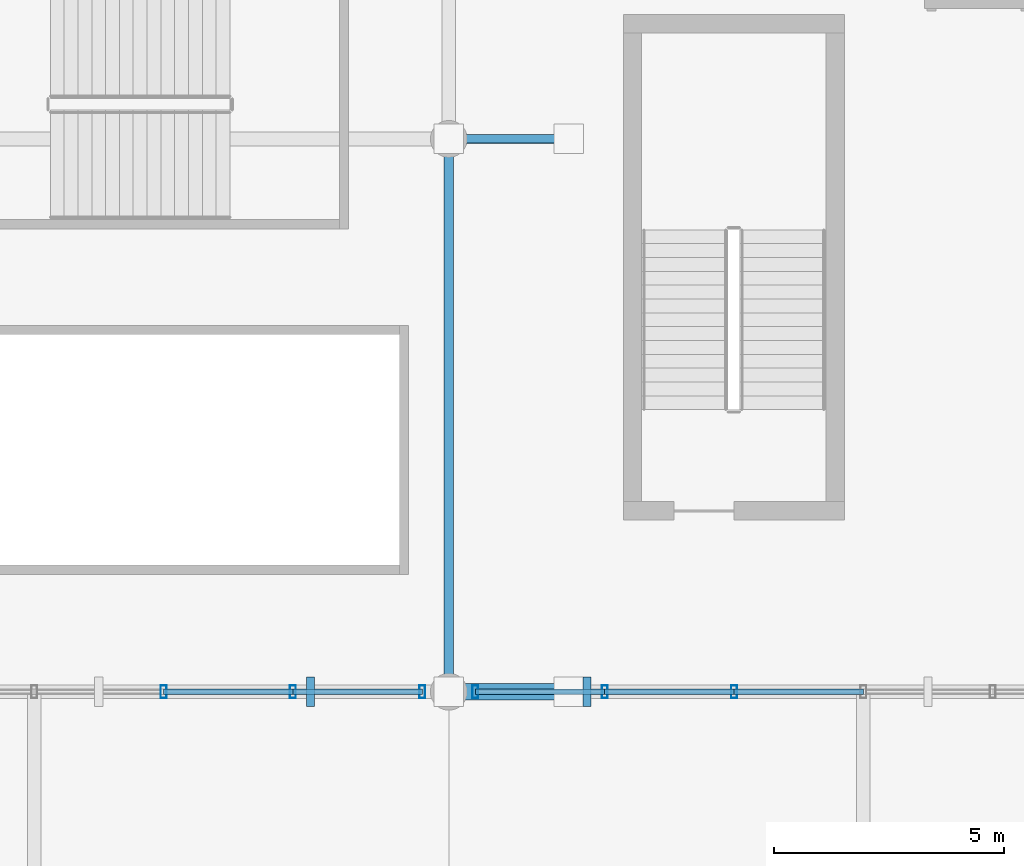
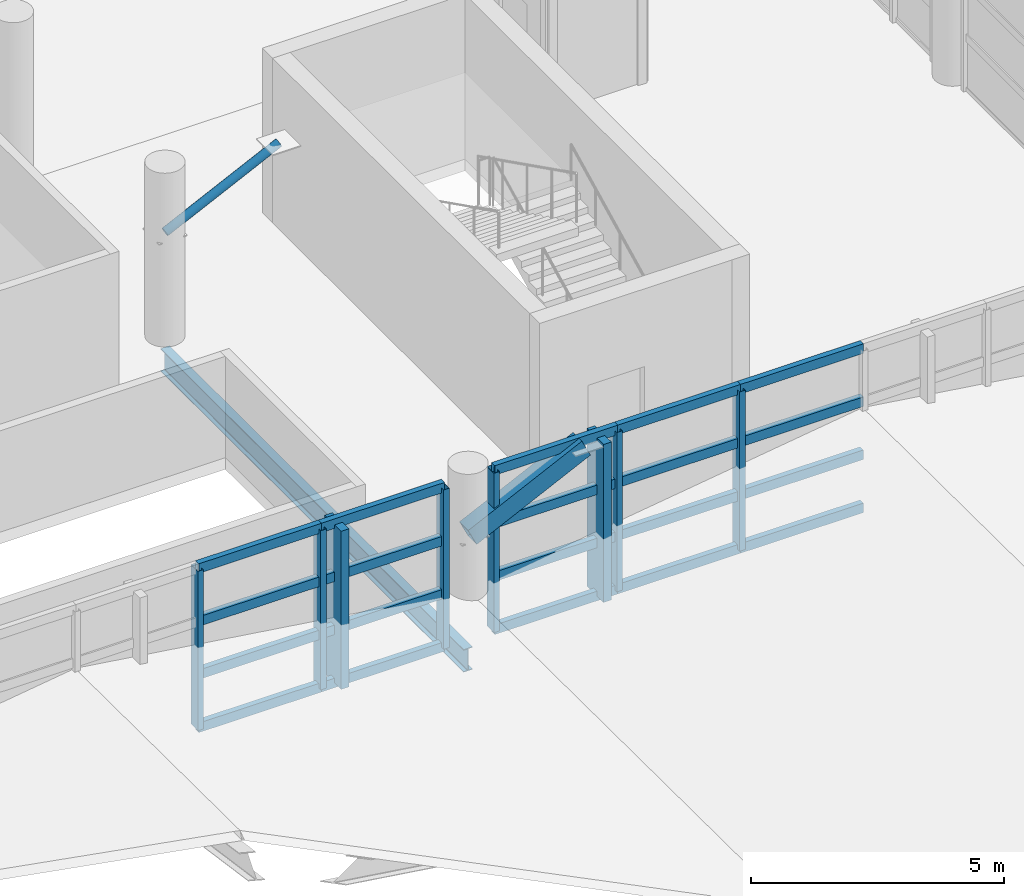
# One storey, part 16 of 136: 30 members, 1 beam, 2 elements without a shape of their own.
"""IFC4 building model written with IfcOpenShell, lengths in metres."""

from ifc_helpers import new_model, si_unit, direction, frame, origin, origin_2d, place, context, subcontext, project, spatial, rectangle, hollow_rectangle, hollow_circle, i_section, extrude, material, material_profile, profile_set, type_object, element, aggregate, save


model = new_model("IFC4")

# Units and contexts
model_context = context("Model", 3, precision=1e-05, world=origin(), true_north=direction((0.0, 1.0)))
body_context = subcontext(model_context, "Body", "Model", "MODEL_VIEW")
ifc_project = project(units=[si_unit("LENGTHUNIT", "METRE"), si_unit("AREAUNIT", "SQUARE_METRE"), si_unit("VOLUMEUNIT", "CUBIC_METRE"), si_unit("PLANEANGLEUNIT", "RADIAN"), si_unit("MASSUNIT", "GRAM", prefix="KILO")], contexts=[model_context])

# Site, building, storey
site_placement = place(None, origin())
site = spatial("IfcSite", under=ifc_project, at=site_placement, CompositionType="ELEMENT")
building_placement = place(site_placement, origin())
building = spatial("IfcBuilding", under=site, at=building_placement, Name="Chuanluo Vaults Station", CompositionType="ELEMENT")
storey_placement = place(building_placement, frame((0.0, 0.0, 6.60009765625)))
storey = spatial("IfcBuildingStorey", under=building, at=storey_placement, Name="L01", CompositionType="ELEMENT", Elevation=6.60009765625)

# Beam
ifc_material_1 = material(Name="Steel Q355C", Category="steel")
ifc_material_profile_1 = material_profile(ifc_material_1, i_section(OverallWidth=0.199951171875, OverallDepth=0.550048828125, WebThickness=0.010009765625, FlangeThickness=0.01611328125, FilletRadius=0.01806640625, at=origin_2d()))
ifc_profile_set_1 = profile_set([ifc_material_profile_1], Name="Steel Q355C")
beam_type = type_object("IfcBeamType", Name="BM-GRD-550", PredefinedType="USERDEFINED", material=ifc_profile_set_1)
beam_placement = place(storey_placement, frame((72.0, 18.0, -0.55517578125), z_axis=(0.0, 1.0, 0.0), x_axis=(-1.0, 0.0, 0.0)))
element("IfcBeam", 1, at=beam_placement, inside=storey, type_object=beam_type, Name="Floor girder BM:GY:L01:0433", ObjectType="GIRDER", PredefinedType="USERDEFINED", context=body_context, shape_type="SweptSolid", body=[
    extrude(i_section(OverallWidth=0.199951171875, OverallDepth=0.550048828125, WebThickness=0.010009765625, FlangeThickness=0.01611328125, FilletRadius=0.01806640625, at=origin_2d()), origin(), (0.0, 0.0, 1.0), 12.0),
])

# Curtain wall, members
ifc_material_2 = material(Name="Anodised aluminium 6063-T6", Category="aluminium")
curtain_wall_type_1 = type_object("IfcCurtainWallType", Name="CW-SYS-14", PredefinedType="NOTDEFINED", material=ifc_material_2)
curtain_wall_1_placement = place(storey_placement, origin())
curtain_wall_1 = element("IfcCurtainWall", 2, at=curtain_wall_1_placement, inside=storey, type_object=curtain_wall_type_1, Name="Concourse V4 south facade CW", PredefinedType="NOTDEFINED")
ifc_material_3 = material(Name="Anodised aluminium 6063-T6", Category="aluminium")
ifc_material_profile_2 = material_profile(ifc_material_3, hollow_rectangle(XDim=0.1298828125, YDim=0.280029296875, WallThickness=0.007080078125, at=origin_2d()))
ifc_profile_set_2 = profile_set([ifc_material_profile_2], Name="Anodised aluminium 6063-T6")
member_type_1 = type_object("IfcMemberType", Name="CWM-180", PredefinedType="MULLION", material=ifc_profile_set_2)
member_1_placement = place(storey_placement, frame((71.425048828125, 18.0, 0.0), z_axis=(0.0, 0.0, 1.0), x_axis=(-1.0, 0.0, 0.0)))
member_1 = element("IfcMember", 3, at=member_1_placement, type_object=member_type_1, Name="Concourse V4 south facade CW mullion 1", PredefinedType="MULLION", context=body_context, shape_type="SweptSolid", body=[
    extrude(hollow_rectangle(XDim=0.1298828125, YDim=0.280029296875, WallThickness=0.007080078125, at=origin_2d()), origin(), (0.0, 0.0, 1.0), 3.849853515625),
])
member_2_placement = place(storey_placement, frame((68.61669921875, 18.0, 0.0), z_axis=(0.0, 0.0, 1.0), x_axis=(-1.0, 0.0, 0.0)))
member_2 = element("IfcMember", 4, at=member_2_placement, type_object=member_type_1, Name="Concourse V4 south facade CW mullion 2", PredefinedType="MULLION", context=body_context, shape_type="SweptSolid", body=[
    extrude(hollow_rectangle(XDim=0.1298828125, YDim=0.280029296875, WallThickness=0.007080078125, at=origin_2d()), origin(), (0.0, 0.0, 1.0), 3.849853515625),
])
member_3_placement = place(storey_placement, frame((65.808349609375, 18.0, 0.0), z_axis=(0.0, 0.0, 1.0), x_axis=(-1.0, 0.0, 0.0)))
member_3 = element("IfcMember", 5, at=member_3_placement, type_object=member_type_1, Name="Concourse V4 south facade CW mullion 3", PredefinedType="MULLION", context=body_context, shape_type="SweptSolid", body=[
    extrude(hollow_rectangle(XDim=0.1298828125, YDim=0.280029296875, WallThickness=0.007080078125, at=origin_2d()), origin(), (0.0, 0.0, 1.0), 3.849853515625),
])

ifc_material_4 = material(Name="Anodised aluminium 6063-T6", Category="aluminium")
curtain_wall_type_2 = type_object("IfcCurtainWallType", Name="CW-SYS-18", PredefinedType="NOTDEFINED", material=ifc_material_4)
curtain_wall_2_placement = place(storey_placement, origin())
curtain_wall_2 = element("IfcCurtainWall", 6, at=curtain_wall_2_placement, inside=storey, type_object=curtain_wall_type_2, Name="Concourse V5 south facade CW", PredefinedType="NOTDEFINED")
member_4_placement = place(storey_placement, frame((78.191650390625, 18.0, 0.0), z_axis=(0.0, 0.0, 1.0), x_axis=(-1.0, 0.0, 0.0)))
member_4 = element("IfcMember", 7, at=member_4_placement, type_object=member_type_1, Name="Concourse V5 south facade CW mullion 5", PredefinedType="MULLION", context=body_context, shape_type="SweptSolid", body=[
    extrude(hollow_rectangle(XDim=0.1298828125, YDim=0.280029296875, WallThickness=0.007080078125, at=origin_2d()), origin(), (0.0, 0.0, 1.0), 3.849853515625),
])
member_5_placement = place(storey_placement, frame((75.38330078125, 18.0, 0.0), z_axis=(0.0, 0.0, 1.0), x_axis=(-1.0, 0.0, 0.0)))
member_5 = element("IfcMember", 8, at=member_5_placement, type_object=member_type_1, Name="Concourse V5 south facade CW mullion 6", PredefinedType="MULLION", context=body_context, shape_type="SweptSolid", body=[
    extrude(hollow_rectangle(XDim=0.1298828125, YDim=0.280029296875, WallThickness=0.007080078125, at=origin_2d()), origin(), (0.0, 0.0, 1.0), 3.849853515625),
])
member_6_placement = place(storey_placement, frame((72.574951171875, 18.0, 0.0), z_axis=(0.0, 0.0, 1.0), x_axis=(-1.0, 0.0, 0.0)))
member_6 = element("IfcMember", 9, at=member_6_placement, type_object=member_type_1, Name="Concourse V5 south facade CW mullion 7", PredefinedType="MULLION", context=body_context, shape_type="SweptSolid", body=[
    extrude(hollow_rectangle(XDim=0.1298828125, YDim=0.280029296875, WallThickness=0.007080078125, at=origin_2d()), origin(), (0.0, 0.0, 1.0), 3.849853515625),
])

# Member
ifc_material_5 = material(Name="Anodised aluminium 6063-T6", Category="aluminium")
ifc_material_profile_3 = material_profile(ifc_material_5, hollow_rectangle(XDim=0.1298828125, YDim=0.22998046875, WallThickness=0.006103515625, at=origin_2d()))
ifc_profile_set_3 = profile_set([ifc_material_profile_3], Name="Anodised aluminium 6063-T6")
member_type_2 = type_object("IfcMemberType", Name="CWT-150", PredefinedType="USERDEFINED", material=ifc_profile_set_3)
member_7_placement = place(storey_placement, frame((71.425048828125, 18.0, 0.0), z_axis=(-1.0, 0.0, 0.0), x_axis=(0.0, -1.0, 0.0)))
member_7 = element("IfcMember", 10, at=member_7_placement, type_object=member_type_2, Name="Concourse V4 south facade CW transom 1.1", ObjectType="TRANSOM", PredefinedType="USERDEFINED", context=body_context, shape_type="SweptSolid", body=[
    extrude(hollow_rectangle(XDim=0.1298828125, YDim=0.22998046875, WallThickness=0.006103515625, at=origin_2d()), origin(), (0.0, 0.0, 1.0), 2.808349609375),
])

member_8_placement = place(storey_placement, frame((71.425048828125, 18.0, 1.283203125), z_axis=(-1.0, 0.0, 0.0), x_axis=(0.0, -1.0, 0.0)))
member_8 = element("IfcMember", 11, at=member_8_placement, type_object=member_type_2, Name="Concourse V4 south facade CW transom 1.2", ObjectType="TRANSOM", PredefinedType="USERDEFINED", context=body_context, shape_type="SweptSolid", body=[
    extrude(hollow_rectangle(XDim=0.1298828125, YDim=0.22998046875, WallThickness=0.006103515625, at=origin_2d()), origin(), (0.0, 0.0, 1.0), 2.808349609375),
])

member_9_placement = place(storey_placement, frame((71.425048828125, 18.0, 2.566650390625), z_axis=(-1.0, 0.0, 0.0), x_axis=(0.0, -1.0, 0.0)))
member_9 = element("IfcMember", 12, at=member_9_placement, type_object=member_type_2, Name="Concourse V4 south facade CW transom 1.3", ObjectType="TRANSOM", PredefinedType="USERDEFINED", context=body_context, shape_type="SweptSolid", body=[
    extrude(hollow_rectangle(XDim=0.1298828125, YDim=0.22998046875, WallThickness=0.006103515625, at=origin_2d()), origin(), (0.0, 0.0, 1.0), 2.808349609375),
])

member_10_placement = place(storey_placement, frame((71.425048828125, 18.0, 3.849853515625), z_axis=(-1.0, 0.0, 0.0), x_axis=(0.0, -1.0, 0.0)))
member_10 = element("IfcMember", 13, at=member_10_placement, type_object=member_type_2, Name="Concourse V4 south facade CW transom 1.4", ObjectType="TRANSOM", PredefinedType="USERDEFINED", context=body_context, shape_type="SweptSolid", body=[
    extrude(hollow_rectangle(XDim=0.1298828125, YDim=0.22998046875, WallThickness=0.006103515625, at=origin_2d()), origin(), (0.0, 0.0, 1.0), 2.808349609375),
])

member_11_placement = place(storey_placement, frame((68.61669921875, 18.0, 0.0), z_axis=(-1.0, 0.0, 0.0), x_axis=(0.0, -1.0, 0.0)))
member_11 = element("IfcMember", 14, at=member_11_placement, type_object=member_type_2, Name="Concourse V4 south facade CW transom 2.1", ObjectType="TRANSOM", PredefinedType="USERDEFINED", context=body_context, shape_type="SweptSolid", body=[
    extrude(hollow_rectangle(XDim=0.1298828125, YDim=0.22998046875, WallThickness=0.006103515625, at=origin_2d()), origin(), (0.0, 0.0, 1.0), 2.808349609375),
])

member_12_placement = place(storey_placement, frame((68.61669921875, 18.0, 1.283203125), z_axis=(-1.0, 0.0, 0.0), x_axis=(0.0, -1.0, 0.0)))
member_12 = element("IfcMember", 15, at=member_12_placement, type_object=member_type_2, Name="Concourse V4 south facade CW transom 2.2", ObjectType="TRANSOM", PredefinedType="USERDEFINED", context=body_context, shape_type="SweptSolid", body=[
    extrude(hollow_rectangle(XDim=0.1298828125, YDim=0.22998046875, WallThickness=0.006103515625, at=origin_2d()), origin(), (0.0, 0.0, 1.0), 2.808349609375),
])

member_13_placement = place(storey_placement, frame((68.61669921875, 18.0, 2.566650390625), z_axis=(-1.0, 0.0, 0.0), x_axis=(0.0, -1.0, 0.0)))
member_13 = element("IfcMember", 16, at=member_13_placement, type_object=member_type_2, Name="Concourse V4 south facade CW transom 2.3", ObjectType="TRANSOM", PredefinedType="USERDEFINED", context=body_context, shape_type="SweptSolid", body=[
    extrude(hollow_rectangle(XDim=0.1298828125, YDim=0.22998046875, WallThickness=0.006103515625, at=origin_2d()), origin(), (0.0, 0.0, 1.0), 2.808349609375),
])

member_14_placement = place(storey_placement, frame((68.61669921875, 18.0, 3.849853515625), z_axis=(-1.0, 0.0, 0.0), x_axis=(0.0, -1.0, 0.0)))
member_14 = element("IfcMember", 17, at=member_14_placement, type_object=member_type_2, Name="Concourse V4 south facade CW transom 2.4", ObjectType="TRANSOM", PredefinedType="USERDEFINED", context=body_context, shape_type="SweptSolid", body=[
    extrude(hollow_rectangle(XDim=0.1298828125, YDim=0.22998046875, WallThickness=0.006103515625, at=origin_2d()), origin(), (0.0, 0.0, 1.0), 2.808349609375),
])

aggregate(curtain_wall_1, [member_1, member_2, member_3, member_7, member_8, member_9, member_10, member_11, member_12, member_13, member_14])

member_15_placement = place(storey_placement, frame((81.0, 18.0, 0.0), z_axis=(-1.0, 0.0, 0.0), x_axis=(0.0, -1.0, 0.0)))
member_15 = element("IfcMember", 18, at=member_15_placement, type_object=member_type_2, Name="Concourse V5 south facade CW transom 4.1", ObjectType="TRANSOM", PredefinedType="USERDEFINED", context=body_context, shape_type="SweptSolid", body=[
    extrude(hollow_rectangle(XDim=0.1298828125, YDim=0.22998046875, WallThickness=0.006103515625, at=origin_2d()), origin(), (0.0, 0.0, 1.0), 2.808349609375),
])

member_16_placement = place(storey_placement, frame((81.0, 18.0, 1.283203125), z_axis=(-1.0, 0.0, 0.0), x_axis=(0.0, -1.0, 0.0)))
member_16 = element("IfcMember", 19, at=member_16_placement, type_object=member_type_2, Name="Concourse V5 south facade CW transom 4.2", ObjectType="TRANSOM", PredefinedType="USERDEFINED", context=body_context, shape_type="SweptSolid", body=[
    extrude(hollow_rectangle(XDim=0.1298828125, YDim=0.22998046875, WallThickness=0.006103515625, at=origin_2d()), origin(), (0.0, 0.0, 1.0), 2.808349609375),
])

member_17_placement = place(storey_placement, frame((81.0, 18.0, 2.566650390625), z_axis=(-1.0, 0.0, 0.0), x_axis=(0.0, -1.0, 0.0)))
member_17 = element("IfcMember", 20, at=member_17_placement, type_object=member_type_2, Name="Concourse V5 south facade CW transom 4.3", ObjectType="TRANSOM", PredefinedType="USERDEFINED", context=body_context, shape_type="SweptSolid", body=[
    extrude(hollow_rectangle(XDim=0.1298828125, YDim=0.22998046875, WallThickness=0.006103515625, at=origin_2d()), origin(), (0.0, 0.0, 1.0), 2.808349609375),
])

member_18_placement = place(storey_placement, frame((81.0, 18.0, 3.849853515625), z_axis=(-1.0, 0.0, 0.0), x_axis=(0.0, -1.0, 0.0)))
member_18 = element("IfcMember", 21, at=member_18_placement, type_object=member_type_2, Name="Concourse V5 south facade CW transom 4.4", ObjectType="TRANSOM", PredefinedType="USERDEFINED", context=body_context, shape_type="SweptSolid", body=[
    extrude(hollow_rectangle(XDim=0.1298828125, YDim=0.22998046875, WallThickness=0.006103515625, at=origin_2d()), origin(), (0.0, 0.0, 1.0), 2.808349609375),
])

member_19_placement = place(storey_placement, frame((78.191650390625, 18.0, 0.0), z_axis=(-1.0, 0.0, 0.0), x_axis=(0.0, -1.0, 0.0)))
member_19 = element("IfcMember", 22, at=member_19_placement, type_object=member_type_2, Name="Concourse V5 south facade CW transom 5.1", ObjectType="TRANSOM", PredefinedType="USERDEFINED", context=body_context, shape_type="SweptSolid", body=[
    extrude(hollow_rectangle(XDim=0.1298828125, YDim=0.22998046875, WallThickness=0.006103515625, at=origin_2d()), origin(), (0.0, 0.0, 1.0), 2.808349609375),
])

member_20_placement = place(storey_placement, frame((78.191650390625, 18.0, 1.283203125), z_axis=(-1.0, 0.0, 0.0), x_axis=(0.0, -1.0, 0.0)))
member_20 = element("IfcMember", 23, at=member_20_placement, type_object=member_type_2, Name="Concourse V5 south facade CW transom 5.2", ObjectType="TRANSOM", PredefinedType="USERDEFINED", context=body_context, shape_type="SweptSolid", body=[
    extrude(hollow_rectangle(XDim=0.1298828125, YDim=0.22998046875, WallThickness=0.006103515625, at=origin_2d()), origin(), (0.0, 0.0, 1.0), 2.808349609375),
])

member_21_placement = place(storey_placement, frame((78.191650390625, 18.0, 2.566650390625), z_axis=(-1.0, 0.0, 0.0), x_axis=(0.0, -1.0, 0.0)))
member_21 = element("IfcMember", 24, at=member_21_placement, type_object=member_type_2, Name="Concourse V5 south facade CW transom 5.3", ObjectType="TRANSOM", PredefinedType="USERDEFINED", context=body_context, shape_type="SweptSolid", body=[
    extrude(hollow_rectangle(XDim=0.1298828125, YDim=0.22998046875, WallThickness=0.006103515625, at=origin_2d()), origin(), (0.0, 0.0, 1.0), 2.808349609375),
])

member_22_placement = place(storey_placement, frame((78.191650390625, 18.0, 3.849853515625), z_axis=(-1.0, 0.0, 0.0), x_axis=(0.0, -1.0, 0.0)))
member_22 = element("IfcMember", 25, at=member_22_placement, type_object=member_type_2, Name="Concourse V5 south facade CW transom 5.4", ObjectType="TRANSOM", PredefinedType="USERDEFINED", context=body_context, shape_type="SweptSolid", body=[
    extrude(hollow_rectangle(XDim=0.1298828125, YDim=0.22998046875, WallThickness=0.006103515625, at=origin_2d()), origin(), (0.0, 0.0, 1.0), 2.808349609375),
])

member_23_placement = place(storey_placement, frame((75.38330078125, 18.0, 0.0), z_axis=(-1.0, 0.0, 0.0), x_axis=(0.0, -1.0, 0.0)))
member_23 = element("IfcMember", 26, at=member_23_placement, type_object=member_type_2, Name="Concourse V5 south facade CW transom 6.1", ObjectType="TRANSOM", PredefinedType="USERDEFINED", context=body_context, shape_type="SweptSolid", body=[
    extrude(hollow_rectangle(XDim=0.1298828125, YDim=0.22998046875, WallThickness=0.006103515625, at=origin_2d()), origin(), (0.0, 0.0, 1.0), 2.808349609375),
])

member_24_placement = place(storey_placement, frame((75.38330078125, 18.0, 1.283203125), z_axis=(-1.0, 0.0, 0.0), x_axis=(0.0, -1.0, 0.0)))
member_24 = element("IfcMember", 27, at=member_24_placement, type_object=member_type_2, Name="Concourse V5 south facade CW transom 6.2", ObjectType="TRANSOM", PredefinedType="USERDEFINED", context=body_context, shape_type="SweptSolid", body=[
    extrude(hollow_rectangle(XDim=0.1298828125, YDim=0.22998046875, WallThickness=0.006103515625, at=origin_2d()), origin(), (0.0, 0.0, 1.0), 2.808349609375),
])

member_25_placement = place(storey_placement, frame((75.38330078125, 18.0, 2.566650390625), z_axis=(-1.0, 0.0, 0.0), x_axis=(0.0, -1.0, 0.0)))
member_25 = element("IfcMember", 28, at=member_25_placement, type_object=member_type_2, Name="Concourse V5 south facade CW transom 6.3", ObjectType="TRANSOM", PredefinedType="USERDEFINED", context=body_context, shape_type="SweptSolid", body=[
    extrude(hollow_rectangle(XDim=0.1298828125, YDim=0.22998046875, WallThickness=0.006103515625, at=origin_2d()), origin(), (0.0, 0.0, 1.0), 2.808349609375),
])

member_26_placement = place(storey_placement, frame((75.38330078125, 18.0, 3.849853515625), z_axis=(-1.0, 0.0, 0.0), x_axis=(0.0, -1.0, 0.0)))
member_26 = element("IfcMember", 29, at=member_26_placement, type_object=member_type_2, Name="Concourse V5 south facade CW transom 6.4", ObjectType="TRANSOM", PredefinedType="USERDEFINED", context=body_context, shape_type="SweptSolid", body=[
    extrude(hollow_rectangle(XDim=0.1298828125, YDim=0.22998046875, WallThickness=0.006103515625, at=origin_2d()), origin(), (0.0, 0.0, 1.0), 2.808349609375),
])

aggregate(curtain_wall_2, [member_4, member_5, member_6, member_15, member_16, member_17, member_18, member_19, member_20, member_21, member_22, member_23, member_24, member_25, member_26])

# Members
ifc_material_6 = material(Name="Steel Q355C", Category="steel")
ifc_material_profile_4 = material_profile(ifc_material_6, hollow_rectangle(XDim=0.35009765625, YDim=0.449951171875, WallThickness=0.02001953125, at=origin_2d()))
ifc_profile_set_4 = profile_set([ifc_material_profile_4], Name="Steel Q355C")
member_type_3 = type_object("IfcMemberType", Name="MEM-BOX-450", PredefinedType="STRUT", material=ifc_profile_set_4)
member_27_placement = place(storey_placement, frame((72.0, 18.0, 2.5), z_axis=(0.901258779583, 0.0, 0.4332812161), x_axis=(0.0, 1.0, 0.0)))
element("IfcMember", 30, at=member_27_placement, inside=storey, type_object=member_type_3, Name="Concourse gallery knee strut 04", PredefinedType="STRUT", context=body_context, shape_type="SweptSolid", body=[
    extrude(hollow_rectangle(XDim=0.35009765625, YDim=0.449951171875, WallThickness=0.02001953125, at=origin_2d()), origin(), (0.0, 0.0, 1.0), 2.885009765625),
])
ifc_material_7 = material(Name="Steel Q355C", Category="steel")
ifc_material_profile_5 = material_profile(ifc_material_7, hollow_circle(Radius=0.096923828125, WallThickness=0.008056640625, at=origin_2d()))
ifc_profile_set_5 = profile_set([ifc_material_profile_5], Name="Steel Q355C")
member_type_4 = type_object("IfcMemberType", Name="MEM-CHS-194", PredefinedType="CHORD", material=ifc_profile_set_5)
member_28_placement = place(storey_placement, frame((72.0, 30.0, 2.5), z_axis=(0.901258779583, 0.0, 0.4332812161), x_axis=(0.0, 1.0, 0.0)))
element("IfcMember", 31, at=member_28_placement, inside=storey, type_object=member_type_4, Name="Concourse gallery knee strut 08", PredefinedType="CHORD", context=body_context, shape_type="SweptSolid", body=[
    extrude(hollow_circle(Radius=0.096923828125, WallThickness=0.008056640625, at=origin_2d()), origin(), (0.0, 0.0, 1.0), 2.885009765625),
])
ifc_material_8 = material(Name="Concrete C50", Category="concrete")
ifc_material_profile_6 = material_profile(ifc_material_8, rectangle(XDim=0.179931640625, YDim=0.64990234375, at=origin_2d()))
ifc_profile_set_6 = profile_set([ifc_material_profile_6], Name="Concrete C50")
member_type_5 = type_object("IfcMemberType", Name="MEM-FIN-CONC", PredefinedType="USERDEFINED", material=ifc_profile_set_6)
for number, where, z_axis, x_axis, name in (
    (32, (69.0, 18.0, 0.0), (0.0, 0.0, 1.0), (1.0, 0.0, 0.0), "Concourse vertical sun-fin 09"),
    (33, (75.0, 18.0, 0.0), (0.0, 0.0, 1.0), (1.0, 0.0, 0.0), "Concourse vertical sun-fin 10"),
):
    element("IfcMember", number, at=place(storey_placement, frame(where, z_axis=z_axis, x_axis=x_axis)), inside=storey, type_object=member_type_5, Name=name, ObjectType="MULLION_FIN", PredefinedType="USERDEFINED", context=body_context, shape_type="SweptSolid", body=[
        extrude(rectangle(XDim=0.179931640625, YDim=0.64990234375, at=origin_2d()), origin(), (0.0, 0.0, 1.0), 3.81982421875),
    ])

save(model, "model.ifc")
